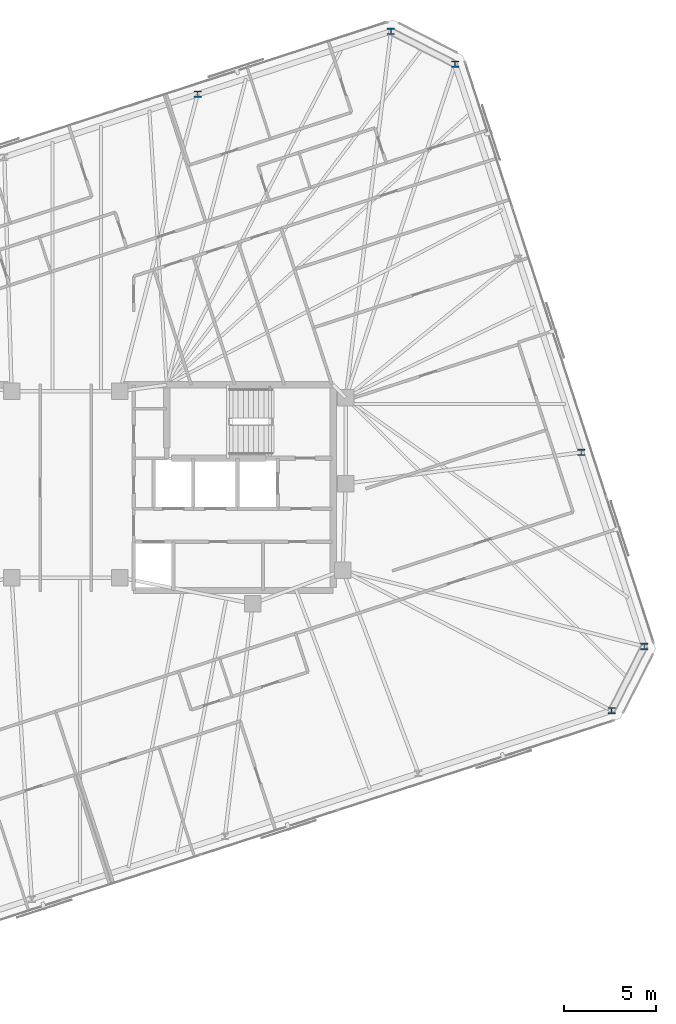
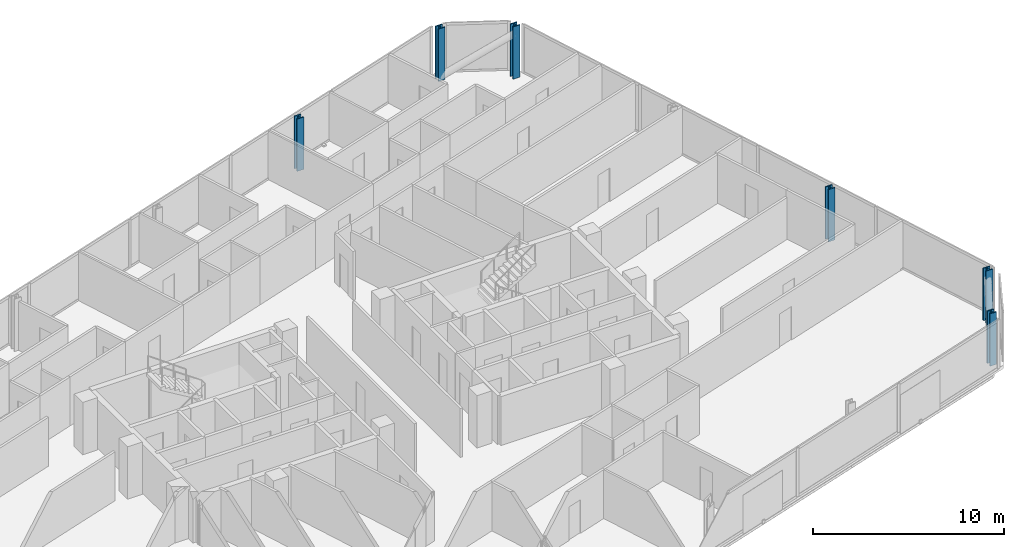
# One storey, part 4 of 20: 6 columns.
"""IFC4 building model written with IfcOpenShell, lengths in metres."""

import ifcopenshell
import ifcopenshell.guid

model = None  # the IFC model being written
_history = None  # IfcOwnerHistory: only IFC2X3 demands one
_inside = {}  # id of a spatial element -> (the spatial element, [elements in it])
_under = {}  # id of a project, library or spatial element -> (it, [spatial elements below it])
_declared = {}  # id of a project -> (the project, [libraries it declares])
_typed = {}  # id of a type object -> (the type object, [elements of that type])
_made_of = {}  # id of a material, layer set ... -> (it, [elements and type objects made of it])


def new_model(schema):
    """Start an empty IFC model of exactly this schema.

    Asked for "IFC4X3", IfcOpenShell would pick the latest addendum, in which some entities
    have other attributes; the version numbers below select the first issue.
    IFC2X3 requires an IfcOwnerHistory on every rooted entity: one is made here for all.
    """
    global model, _history
    if schema == "IFC4X3":
        model = ifcopenshell.file(schema_version=(4, 3, 0, 0))
    else:
        model = ifcopenshell.file(schema=schema)
    _inside.clear()
    _under.clear()
    _declared.clear()
    _typed.clear()
    _made_of.clear()
    _history = None
    if model.schema == "IFC2X3":
        org = make("IfcOrganization", Name="unknown")
        user = make(
            "IfcPersonAndOrganization",
            ThePerson=make("IfcPerson", FamilyName="unknown"),
            TheOrganization=org,
        )
        app = make(
            "IfcApplication",
            ApplicationDeveloper=org,
            Version="unknown",
            ApplicationFullName="unknown",
            ApplicationIdentifier="unknown",
        )
        _history = make(
            "IfcOwnerHistory",
            OwningUser=user,
            OwningApplication=app,
            ChangeAction="ADDED",
            CreationDate=0,
        )
    return model


def make(cls, **values):
    """One entity of the class cls with the attributes given. An attribute that is None is left unset."""
    return model.create_entity(
        cls, **{name: value for name, value in values.items() if value is not None}
    )


def rooted(cls, **values):
    """An entity with a GlobalId (a new one), such as an element, a storey or a relation."""
    return make(cls, GlobalId=ifcopenshell.guid.new(), OwnerHistory=_history, **values)


def si_unit(unit_type, name, prefix=None):
    """IfcSIUnit, for example si_unit("LENGTHUNIT", "METRE", prefix="MILLI")."""
    return make("IfcSIUnit", UnitType=unit_type, Prefix=prefix, Name=name)


def assignment(units):
    """IfcUnitAssignment: the units of a project."""
    return None if units is None else make("IfcUnitAssignment", Units=units)


def point(xyz):
    """IfcCartesianPoint."""
    return None if xyz is None else make("IfcCartesianPoint", Coordinates=xyz)


def direction(xyz):
    """IfcDirection."""
    return None if xyz is None else make("IfcDirection", DirectionRatios=xyz)


def frame(location, z_axis=None, x_axis=None):
    """IfcAxis2Placement3D, a coordinate frame: its origin and axes. An axis left out is left unset."""
    return make(
        "IfcAxis2Placement3D",
        Location=point(location),
        Axis=direction(z_axis),
        RefDirection=direction(x_axis),
    )


def frame_2d(location, x_axis=None):
    """IfcAxis2Placement2D, a coordinate frame in the plane: its origin and x axis."""
    return make(
        "IfcAxis2Placement2D", Location=point(location), RefDirection=direction(x_axis)
    )


def origin():
    """The frame at (0, 0, 0) with its axes left unset."""
    return frame((0.0, 0.0, 0.0))


def origin_2d():
    """The frame at (0, 0) in the plane with its x axis left unset."""
    return frame_2d((0.0, 0.0))


def place(relative_to, where):
    """IfcLocalPlacement: puts the frame where relative to a parent placement (None: the world)."""
    return make(
        "IfcLocalPlacement", PlacementRelTo=relative_to, RelativePlacement=where
    )


def context(
    kind, dimensions, precision=None, world=None, true_north=None, identifier=None
):
    """IfcGeometricRepresentationContext, for example the 3D "Model" context."""
    return make(
        "IfcGeometricRepresentationContext",
        ContextIdentifier=identifier,
        ContextType=kind,
        CoordinateSpaceDimension=dimensions,
        Precision=precision,
        WorldCoordinateSystem=world,
        TrueNorth=true_north,
    )


def subcontext(parent, identifier, kind, view, scale=None):
    """IfcGeometricRepresentationSubContext, for example "Body" below "Model"."""
    return make(
        "IfcGeometricRepresentationSubContext",
        ContextIdentifier=identifier,
        ContextType=kind,
        ParentContext=parent,
        TargetScale=scale,
        TargetView=view,
    )


def project(units=None, contexts=None):
    """IfcProject with its units and contexts."""
    return rooted(
        "IfcProject",
        Name="project",
        RepresentationContexts=contexts,
        UnitsInContext=assignment(units),
    )


def spatial(cls, under=None, at=None, **own):
    """A site, building, storey or space (cls), placed at a placement, below another one or the project."""
    s = rooted(cls, ObjectPlacement=at, **own)
    if under is not None:
        _under.setdefault(under.id(), (under, []))[1].append(s)
    return s


def profile(cls, at=None, kind="AREA", **sizes):
    """A parametric profile (cls). Its sizes go by their IFC names, for example OverallWidth=200.0."""
    return make(cls, ProfileType=kind, Position=at, **sizes)


def i_section(**sizes):
    """IfcIShapeProfileDef."""
    return profile("IfcIShapeProfileDef", **sizes)


def extrude(swept, where, along, depth):
    """IfcExtrudedAreaSolid: the profile swept, set in the frame where, extruded along a direction by depth."""
    return make(
        "IfcExtrudedAreaSolid",
        SweptArea=swept,
        Position=where,
        ExtrudedDirection=direction(along),
        Depth=depth,
    )


def shape(context_of_items, identifier, shape_type, items):
    """IfcShapeRepresentation: the items that make up one representation, for example the "Body"."""
    return make(
        "IfcShapeRepresentation",
        ContextOfItems=context_of_items,
        RepresentationIdentifier=identifier,
        RepresentationType=shape_type,
        Items=items,
    )


def material(Name=None, Category=None):
    """IfcMaterial."""
    return make("IfcMaterial", Name=Name, Category=Category)


def material_profile(
    of_material, cross_section, Name=None, Category=None, Priority=None
):
    """IfcMaterialProfile: a cross section and its material."""
    return make(
        "IfcMaterialProfile",
        Name=Name,
        Material=of_material,
        Profile=cross_section,
        Priority=Priority,
        Category=Category,
    )


def profile_set(profiles, Name=None, composite=None):
    """IfcMaterialProfileSet."""
    return make(
        "IfcMaterialProfileSet",
        Name=Name,
        MaterialProfiles=profiles,
        CompositeProfile=composite,
    )


def made_of(thing, what):
    """Note that an element or type object is made of a material, layer set ...; save() writes the relation."""
    if what is not None:
        _made_of.setdefault(what.id(), (what, []))[1].append(thing)
    return thing


def type_object(cls, material=None, **own):
    """A type object (cls), such as IfcWallType, which elements share."""
    return made_of(rooted(cls, **own), material)


def element(
    cls,
    number,
    at=None,
    inside=None,
    cuts=None,
    type_object=None,
    material=None,
    context=None,
    identifier="Body",
    shape_type=None,
    held_by="IfcProductDefinitionShape",
    body=None,
    shapes=None,
    **own,
):
    """One element of the class cls, such as IfcWall. Its Tag is "e" and its number.

    at: its placement. inside: the storey or other place that contains it. cuts: it is an
    opening in that element (IfcRelVoidsElement). A single representation is given by context,
    identifier, shape_type and body (its items); several are given by shapes. held_by: the class
    of the entity that holds the representations. save() writes the other relations.
    """
    e = rooted(cls, Tag="e%d" % number, ObjectPlacement=at, **own)
    if body is not None:
        shapes = [shape(context, identifier, shape_type, body)]
    if shapes is not None:
        e.Representation = make(held_by, Representations=shapes)
    if inside is not None:
        _inside.setdefault(inside.id(), (inside, []))[1].append(e)
    if cuts is not None:
        rooted(
            "IfcRelVoidsElement", RelatingBuildingElement=cuts, RelatedOpeningElement=e
        )
    if type_object is not None:
        _typed.setdefault(type_object.id(), (type_object, []))[1].append(e)
    return made_of(e, material)


def aggregate(whole, parts):
    """IfcRelAggregates: a whole, such as a stair, and the parts it consists of."""
    return rooted("IfcRelAggregates", RelatingObject=whole, RelatedObjects=parts)


def save(model, path):
    """Write the relations noted so far, then the file.

    IfcRelAggregates (storeys below a building ...), IfcRelContainedInSpatialStructure (elements
    in a storey), IfcRelDefinesByType, IfcRelAssociatesMaterial and IfcRelDeclares: one each for
    every whole, place, type object, material and project.
    """
    for whole, parts in _under.values():
        aggregate(whole, parts)
    for where, things in _inside.values():
        rooted(
            "IfcRelContainedInSpatialStructure",
            RelatedElements=things,
            RelatingStructure=where,
        )
    for kind, things in _typed.values():
        rooted("IfcRelDefinesByType", RelatedObjects=things, RelatingType=kind)
    for what, things in _made_of.values():
        rooted("IfcRelAssociatesMaterial", RelatedObjects=things, RelatingMaterial=what)
    for by, libraries in _declared.values():
        rooted("IfcRelDeclares", RelatingContext=by, RelatedDefinitions=libraries)
    model.write(path)


model = new_model("IFC4")

# Units and contexts
model_context = context("Model", 3, precision=1e-05, world=origin(), true_north=direction((0.0, 1.0)))
body_context = subcontext(model_context, "Body", "Model", "MODEL_VIEW")
ifc_project = project(units=[si_unit("LENGTHUNIT", "METRE"), si_unit("AREAUNIT", "SQUARE_METRE"), si_unit("VOLUMEUNIT", "CUBIC_METRE"), si_unit("PLANEANGLEUNIT", "RADIAN"), si_unit("MASSUNIT", "GRAM", prefix="KILO")], contexts=[model_context])

# Site, building, storey
site_placement = place(None, origin())
site = spatial("IfcSite", under=ifc_project, at=site_placement, CompositionType="ELEMENT")
building_placement = place(site_placement, origin())
building = spatial("IfcBuilding", under=site, at=building_placement, Name="Menara Jurai Vektor", CompositionType="ELEMENT")
storey_placement = place(building_placement, frame((0.0, 0.0, 224.300048828125)))
storey = spatial("IfcBuildingStorey", under=building, at=storey_placement, Name="L59", CompositionType="ELEMENT", Elevation=224.300048828125)

# Columns
ifc_material = material(Name="Steel S460", Category="steel")
ifc_material_profile = material_profile(ifc_material, i_section(OverallWidth=0.405029296875, OverallDepth=0.35498046875, WebThickness=0.0419921875, FlangeThickness=0.068115234375, FilletRadius=0.014892578125, at=origin_2d()), Name="HD 400x551")
ifc_profile_set = profile_set([ifc_material_profile], Name="Steel S460")
column_type = type_object("IfcColumnType", Name="STR-EXO-BLK4", PredefinedType="COLUMN", material=ifc_profile_set)
for number, where, z_axis, x_axis, name in (
    (1, (29.733642578125, -12.14501953125, 0.0), (0.0, 0.0, 1.0), (1.0, 0.0, 0.0), "Exoskeleton Column BLK4-S6 L59"),
    (2, (31.513427734375, -8.652099609375, 0.0), (0.0, 0.0, 1.0), (1.0, 0.0, 0.0), "Exoskeleton Column BLK4-E1 L59"),
    (3, (28.07763671875, 1.92236328125, 0.0), (0.0, 0.0, 1.0), (1.0, 0.0, 0.0), "Exoskeleton Column BLK4-E2 L59"),
    (4, (21.2060546875, 23.071044921875, 0.0), (0.0, 0.0, 1.0), (1.0, 0.0, 0.0), "Exoskeleton Column BLK4-E4 L59"),
    (5, (17.712890625, 24.85107421875, 0.0), (0.0, 0.0, 1.0), (1.0, 0.0, 0.0), "Exoskeleton Column BLK4-N1 L59"),
    (6, (7.18359375, 21.4296875, 0.0), (0.0, 0.0, 1.0), (1.0, 0.0, 0.0), "Exoskeleton Column BLK4-N2 L59"),
):
    element("IfcColumn", number, at=place(storey_placement, frame(where, z_axis=z_axis, x_axis=x_axis)), inside=storey, type_object=column_type, Name=name, PredefinedType="COLUMN", context=body_context, shape_type="SweptSolid", body=[
        extrude(i_section(OverallWidth=0.405029296875, OverallDepth=0.35498046875, WebThickness=0.0419921875, FlangeThickness=0.068115234375, FilletRadius=0.014892578125, at=origin_2d()), origin(), (0.0, 0.0, 1.0), 3.349853515625),
    ])

save(model, "model.ifc")
